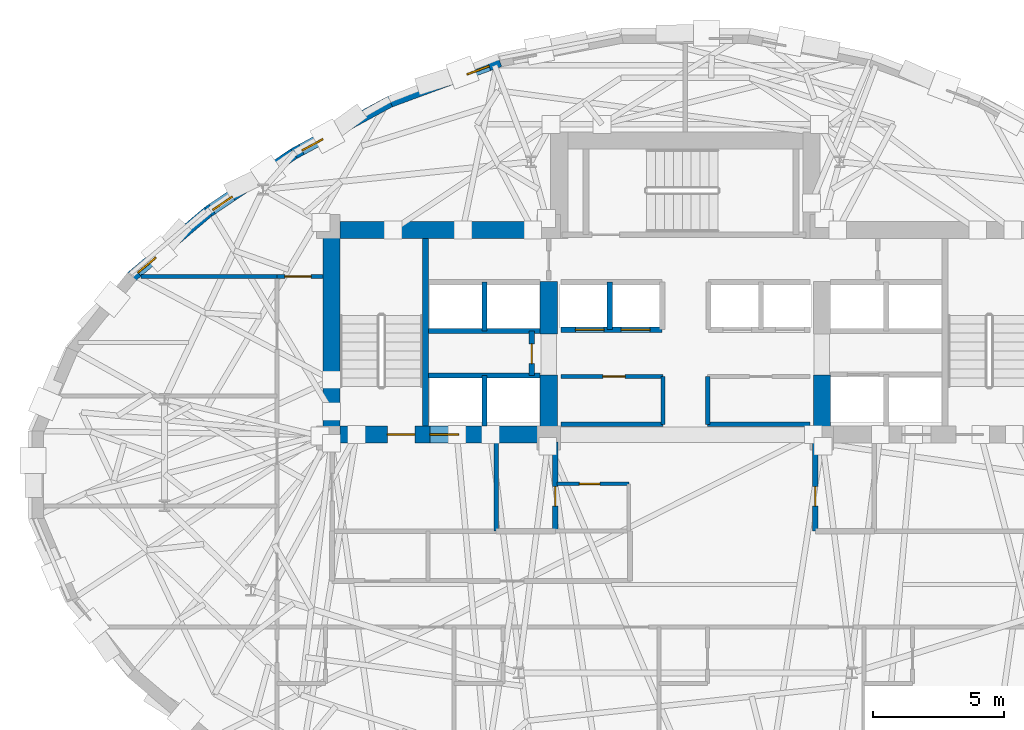
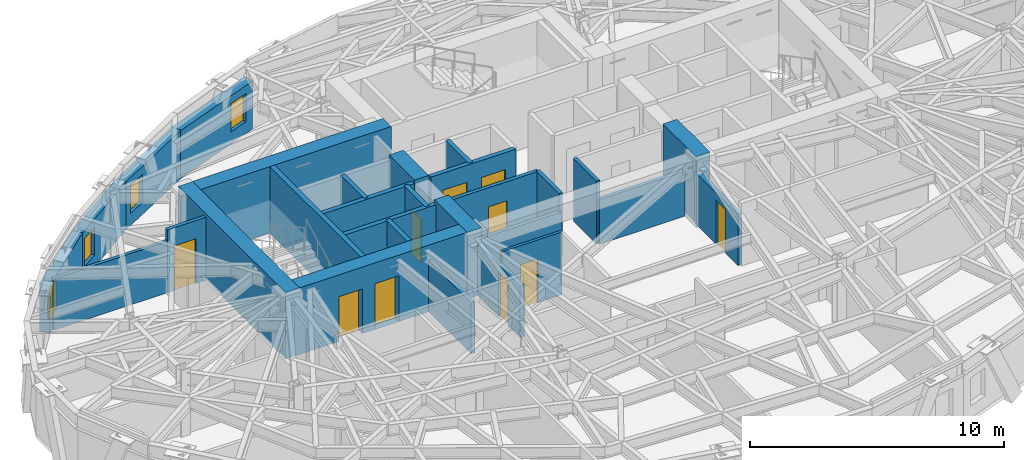
# One storey, part 7 of 14: 29 walls, 10 doors, 4 windows, 14 openings.
"""IFC4 building model written with IfcOpenShell, lengths in metres."""

from ifc_helpers import new_model, si_unit, direction, frame, frame_2d, origin, place, context, subcontext, project, spatial, rectangle, extrude, material, layer, layer_set, type_object, element, fill, save


model = new_model("IFC4")

# Units and contexts
model_context = context("Model", 3, precision=1e-05, world=origin(), true_north=direction((0.0, 1.0)))
body_context = subcontext(model_context, "Body", "Model", "MODEL_VIEW")
ifc_project = project(units=[si_unit("LENGTHUNIT", "METRE"), si_unit("AREAUNIT", "SQUARE_METRE"), si_unit("VOLUMEUNIT", "CUBIC_METRE"), si_unit("PLANEANGLEUNIT", "RADIAN"), si_unit("MASSUNIT", "GRAM", prefix="KILO")], contexts=[model_context])

# Site, building, storey
site_placement = place(None, origin())
site = spatial("IfcSite", under=ifc_project, at=site_placement, CompositionType="ELEMENT")
building_placement = place(site_placement, origin())
building = spatial("IfcBuilding", under=site, at=building_placement, Name="Keldmark Tower", CompositionType="ELEMENT")
storey_placement = place(building_placement, frame((0.0, 0.0, 179.0)))
storey = spatial("IfcBuildingStorey", under=building, at=storey_placement, Name="L49", CompositionType="ELEMENT", Elevation=179.0)

# Wall, opening, door
ifc_material_1 = material(Name="Acoustic Gypsum Board Interior Partition", Category="gypsum")
ifc_layer_1 = layer(ifc_material_1, 0.1298828125)
ifc_layer_set_1 = layer_set([ifc_layer_1], Name="Acoustic Gypsum Board Interior Partition")
wall_type_1 = type_object("IfcWallType", Name="Interior Partition 130 mm", PredefinedType="PARTITIONING", material=ifc_layer_set_1)
wall_1_placement = place(storey_placement, frame((-4.8798828125, -0.35009765625, 0.0), z_axis=(0.0, 0.0, 1.0), x_axis=(1.0, 0.0, 0.0)))
wall_1 = element("IfcWall", 1, at=wall_1_placement, inside=storey, type_object=wall_type_1, Name="L49 Interior Partition 130 mm CSC-W-N", PredefinedType="PARTITIONING", context=body_context, shape_type="SweptSolid", body=[
    extrude(rectangle(XDim=2.72998046875, YDim=0.1298828125, at=frame_2d((1.364990234375, 0.0))), origin(), (0.0, 0.0, 1.0), 3.02001953125),
])
opening_1_placement = place(wall_1_placement, frame((0.85009765625, 0.0, 0.0)))
opening_1 = element("IfcOpeningElement", 2, at=opening_1_placement, cuts=wall_1, Name="Opening D-CL078", PredefinedType="OPENING", context=body_context, shape_type="SweptSolid", body=[
    extrude(rectangle(XDim=0.780029296875, YDim=2.10009765625, at=frame_2d((0.39013671875, 1.050048828125))), frame((0.0, 0.074951171875, 0.0), z_axis=(0.0, -1.0, 0.0), x_axis=(1.0, 0.0, 0.0)), (0.0, 0.0, 1.0), 0.14990234375),
])
ifc_material_2 = material(Name="Flush Utility Closet Timber Door", Category="wood")
door_type_1 = type_object("IfcDoorType", Name="Closet Door 780x2100", OperationType="NOTDEFINED", PredefinedType="DOOR", material=ifc_material_2)
door_1_placement = place(opening_1_placement, origin())
door_1 = element("IfcDoor", 3, at=door_1_placement, inside=storey, type_object=door_type_1, Name="L49 Closet Door 780x2100 D-CSCW1-L49", OperationType="SINGLE_SWING_LEFT", OverallHeight=2.10009765625, OverallWidth=0.780029296875, PredefinedType="DOOR", context=body_context, shape_type="SweptSolid", body=[
    extrude(rectangle(XDim=0.780029296875, YDim=2.10009765625, at=frame_2d((0.39013671875, 1.050048828125))), frame((0.0, 0.02490234375, 0.0), z_axis=(0.0, -1.0, 0.0), x_axis=(1.0, 0.0, 0.0)), (0.0, 0.0, 1.0), 0.050048828125),
])
fill(opening_1, door_1)

# Walls
ifc_material_3 = material(Name="Type X Fire-Rated Gypsum Partition Assembly", Category="gypsum")
ifc_layer_2 = layer(ifc_material_3, 0.1650390625)
ifc_layer_set_2 = layer_set([ifc_layer_2], Name="Type X Fire-Rated Gypsum Partition Assembly")
wall_type_2 = type_object("IfcWallType", Name="Rated Partition 165 mm", PredefinedType="PARTITIONING", material=ifc_layer_set_2)
wall_2_placement = place(storey_placement, frame((-7.199951171875, -2.14990234375, 0.0), z_axis=(0.0, 0.0, 1.0), x_axis=(0.0, 1.0, 0.0)))
element("IfcWall", 4, at=wall_2_placement, inside=storey, type_object=wall_type_2, Name="L49 Rated Partition 165 mm FSAE-W-E", PredefinedType="PARTITIONING", context=body_context, shape_type="SweptSolid", body=[
    extrude(rectangle(XDim=3.39990234375, YDim=0.1650390625, at=frame_2d((1.699951171875, 0.0))), origin(), (0.0, 0.0, 1.0), 2.472900390625),
])
wall_3_placement = place(storey_placement, frame((-4.739990234375, 1.919921875, 0.0), z_axis=(0.0, 0.0, 1.0), x_axis=(1.0, 0.0, 0.0)))
element("IfcWall", 5, at=wall_3_placement, inside=storey, type_object=wall_type_2, Name="L49 Rated Partition 165 mm REC-LW-S", PredefinedType="PARTITIONING", context=body_context, shape_type="SweptSolid", body=[
    extrude(rectangle(XDim=3.889892578125, YDim=0.1650390625, at=frame_2d((1.94482421875, 0.0))), origin(), (0.0, 0.0, 1.0), 2.159912109375),
])

# Wall, opening, door
wall_4_placement = place(storey_placement, frame((-4.739990234375, 3.739990234375, 0.0), z_axis=(0.0, 0.0, 1.0), x_axis=(1.0, 0.0, 0.0)))
wall_4 = element("IfcWall", 6, at=wall_4_placement, inside=storey, type_object=wall_type_2, Name="L49 Rated Partition 165 mm REC-LW-N", PredefinedType="PARTITIONING", context=body_context, shape_type="SweptSolid", body=[
    extrude(rectangle(XDim=3.889892578125, YDim=0.1650390625, at=frame_2d((1.94482421875, 0.0))), origin(), (0.0, 0.0, 1.0), 3.02001953125),
])
opening_2_placement = place(wall_4_placement, frame((1.60009765625, 0.0, 0.0)))
opening_2 = element("IfcOpeningElement", 7, at=opening_2_placement, cuts=wall_4, Name="Opening D-SV085", PredefinedType="OPENING", context=body_context, shape_type="SweptSolid", body=[
    extrude(rectangle(XDim=0.85009765625, YDim=2.10009765625, at=frame_2d((0.425048828125, 1.050048828125))), frame((0.0, 0.092529296875, 0.0), z_axis=(0.0, -1.0, 0.0), x_axis=(1.0, 0.0, 0.0)), (0.0, 0.0, 1.0), 0.18505859375),
])
ifc_material_4 = material(Name="Painted Hollow Metal Door Assembly", Category="metal")
door_type_2 = type_object("IfcDoorType", Name="Service Door 850x2100", OperationType="NOTDEFINED", PredefinedType="DOOR", material=ifc_material_4)
door_2_placement = place(opening_2_placement, origin())
door_2 = element("IfcDoor", 8, at=door_2_placement, inside=storey, type_object=door_type_2, Name="L49 Service Door 850x2100 D-RECLW1-L49", OperationType="SINGLE_SWING_LEFT", OverallHeight=2.10009765625, OverallWidth=0.85009765625, PredefinedType="DOOR", context=body_context, shape_type="SweptSolid", body=[
    extrude(rectangle(XDim=0.85009765625, YDim=2.10009765625, at=frame_2d((0.425048828125, 1.050048828125))), frame((0.0, 0.02490234375, 0.0), z_axis=(0.0, -1.0, 0.0), x_axis=(1.0, 0.0, 0.0)), (0.0, 0.0, 1.0), 0.050048828125),
])
fill(opening_2, door_2)

# Walls
wall_5_placement = place(storey_placement, frame((-0.85009765625, 1.919921875, 0.0), z_axis=(0.0, 0.0, 1.0), x_axis=(0.0, 1.0, 0.0)))
element("IfcWall", 9, at=wall_5_placement, inside=storey, type_object=wall_type_2, Name="L49 Rated Partition 165 mm REC-LW-E", PredefinedType="PARTITIONING", context=body_context, shape_type="SweptSolid", body=[
    extrude(rectangle(XDim=1.820068359375, YDim=0.1650390625, at=frame_2d((0.91015625, 0.0))), origin(), (0.0, 0.0, 1.0), 3.02001953125),
])
wall_6_placement = place(storey_placement, frame((0.85009765625, 1.919921875, 0.0), z_axis=(0.0, 0.0, 1.0), x_axis=(1.0, 0.0, 0.0)))
element("IfcWall", 10, at=wall_6_placement, inside=storey, type_object=wall_type_2, Name="L49 Rated Partition 165 mm REC-LE-S", PredefinedType="PARTITIONING", context=body_context, shape_type="SweptSolid", body=[
    extrude(rectangle(XDim=3.889892578125, YDim=0.1650390625, at=frame_2d((1.94482421875, 0.0))), origin(), (0.0, 0.0, 1.0), 2.159912109375),
])
wall_7_placement = place(storey_placement, frame((0.85009765625, 1.919921875, 0.0), z_axis=(0.0, 0.0, 1.0), x_axis=(0.0, 1.0, 0.0)))
element("IfcWall", 11, at=wall_7_placement, inside=storey, type_object=wall_type_2, Name="L49 Rated Partition 165 mm REC-LE-W", PredefinedType="PARTITIONING", context=body_context, shape_type="SweptSolid", body=[
    extrude(rectangle(XDim=1.820068359375, YDim=0.1650390625, at=frame_2d((0.91015625, 0.0))), origin(), (0.0, 0.0, 1.0), 3.02001953125),
])

# Wall, opening, door
wall_8_placement = place(storey_placement, frame((-15.550048828125, 7.550048828125, 0.0), z_axis=(0.0, 0.0, 1.0), x_axis=(1.0, 0.0, 0.0)))
wall_8 = element("IfcWall", 12, at=wall_8_placement, inside=storey, type_object=wall_type_2, Name="L49 Rated Partition 165 mm HCOR-WN", PredefinedType="PARTITIONING", context=body_context, shape_type="SweptSolid", body=[
    extrude(rectangle(XDim=1.75, YDim=0.1650390625, at=frame_2d((0.875, 0.0))), origin(), (0.0, 0.0, 1.0), 3.02001953125),
])
opening_3_placement = place(wall_8_placement, frame((0.300048828125, 0.0, 0.0)))
opening_3 = element("IfcOpeningElement", 13, at=opening_3_placement, cuts=wall_8, Name="Opening D-FD100", PredefinedType="OPENING", context=body_context, shape_type="SweptSolid", body=[
    extrude(rectangle(XDim=1.0, YDim=2.14990234375, at=frame_2d((0.5, 1.074951171875))), frame((0.0, 0.092529296875, 0.0), z_axis=(0.0, -1.0, 0.0), x_axis=(1.0, 0.0, 0.0)), (0.0, 0.0, 1.0), 0.18505859375),
])
ifc_material_5 = material(Name="Hollow Metal Fire-Rated Corridor Door", Category="metal")
door_type_3 = type_object("IfcDoorType", Name="Fire Door 1000x2150", OperationType="NOTDEFINED", PredefinedType="DOOR", material=ifc_material_5)
door_3_placement = place(opening_3_placement, origin())
door_3 = element("IfcDoor", 14, at=door_3_placement, inside=storey, type_object=door_type_3, Name="L49 Fire Door 1000x2150 D-HNNW-L49", OperationType="SINGLE_SWING_LEFT", OverallHeight=2.14990234375, OverallWidth=1.0, PredefinedType="DOOR", context=body_context, shape_type="SweptSolid", body=[
    extrude(rectangle(XDim=1.0, YDim=2.14990234375, at=frame_2d((0.5, 1.074951171875))), frame((0.0, 0.02490234375, 0.0), z_axis=(0.0, -1.0, 0.0), x_axis=(1.0, 0.0, 0.0)), (0.0, 0.0, 1.0), 0.050048828125),
])
fill(opening_3, door_3)

ifc_material_6 = material(Name="Fire-Resistant Type X Gypsum Shaftliner Coreboard", Category="gypsum")
ifc_layer_3 = layer(ifc_material_6, 0.199951171875)
ifc_layer_set_3 = layer_set([ifc_layer_3], Name="Fire-Resistant Type X Gypsum Shaftliner Coreboard")
wall_type_3 = type_object("IfcWallType", Name="Shaft Wall 200 mm", PredefinedType="SOLIDWALL", material=ifc_layer_set_3)
wall_9_placement = place(storey_placement, frame((-4.949951171875, -2.14990234375, 0.0), z_axis=(0.0, 0.0, 1.0), x_axis=(0.0, 1.0, 0.0)))
wall_9 = element("IfcWall", 15, at=wall_9_placement, inside=storey, type_object=wall_type_3, Name="L49 Shaft Wall 200 mm RIS-SW-E", PredefinedType="SOLIDWALL", context=body_context, shape_type="SweptSolid", body=[
    extrude(rectangle(XDim=3.39990234375, YDim=0.199951171875, at=frame_2d((1.699951171875, 0.0))), origin(), (0.0, 0.0, 1.0), 2.472900390625),
])
opening_4_placement = place(wall_9_placement, frame((0.949951171875, 0.0, 0.0)))
opening_4 = element("IfcOpeningElement", 16, at=opening_4_placement, cuts=wall_9, Name="Opening D-RS075", PredefinedType="OPENING", context=body_context, shape_type="SweptSolid", body=[
    extrude(rectangle(XDim=0.75, YDim=2.10009765625, at=frame_2d((0.375, 1.050048828125))), frame((0.0, 0.10986328125, 0.0), z_axis=(0.0, -1.0, 0.0), x_axis=(1.0, 0.0, 0.0)), (0.0, 0.0, 1.0), 0.219970703125),
])
ifc_material_7 = material(Name="Galvanized Fire-Rated Access Leaf", Category="metal")
door_type_4 = type_object("IfcDoorType", Name="Riser Access Door 750x2100", OperationType="NOTDEFINED", PredefinedType="DOOR", material=ifc_material_7)
door_4_placement = place(opening_4_placement, origin())
door_4 = element("IfcDoor", 17, at=door_4_placement, inside=storey, type_object=door_type_4, Name="L49 Riser Access Door 750x2100 D-RISSW-L49", OperationType="SINGLE_SWING_RIGHT", OverallHeight=2.10009765625, OverallWidth=0.75, PredefinedType="DOOR", context=body_context, shape_type="SweptSolid", body=[
    extrude(rectangle(XDim=0.75, YDim=2.10009765625, at=frame_2d((0.375, 1.050048828125))), frame((0.0, 0.02490234375, 0.0), z_axis=(0.0, -1.0, 0.0), x_axis=(1.0, 0.0, 0.0)), (0.0, 0.0, 1.0), 0.050048828125),
])
fill(opening_4, door_4)

wall_10_placement = place(storey_placement, frame((4.949951171875, -2.14990234375, 0.0), z_axis=(0.0, 0.0, 1.0), x_axis=(0.0, 1.0, 0.0)))
wall_10 = element("IfcWall", 18, at=wall_10_placement, inside=storey, type_object=wall_type_3, Name="L49 Shaft Wall 200 mm RIS-SE-W", PredefinedType="SOLIDWALL", context=body_context, shape_type="SweptSolid", body=[
    extrude(rectangle(XDim=3.39990234375, YDim=0.199951171875, at=frame_2d((1.699951171875, 0.0))), origin(), (0.0, 0.0, 1.0), 2.472900390625),
])
opening_5_placement = place(wall_10_placement, frame((0.949951171875, 0.0, 0.0)))
opening_5 = element("IfcOpeningElement", 19, at=opening_5_placement, cuts=wall_10, Name="Opening D-RS075", PredefinedType="OPENING", context=body_context, shape_type="SweptSolid", body=[
    extrude(rectangle(XDim=0.75, YDim=2.10009765625, at=frame_2d((0.375, 1.050048828125))), frame((0.0, 0.10986328125, 0.0), z_axis=(0.0, -1.0, 0.0), x_axis=(1.0, 0.0, 0.0)), (0.0, 0.0, 1.0), 0.219970703125),
])
door_5_placement = place(opening_5_placement, origin())
door_5 = element("IfcDoor", 20, at=door_5_placement, inside=storey, type_object=door_type_4, Name="L49 Riser Access Door 750x2100 D-RISSE-L49", OperationType="SINGLE_SWING_LEFT", OverallHeight=2.10009765625, OverallWidth=0.75, PredefinedType="DOOR", context=body_context, shape_type="SweptSolid", body=[
    extrude(rectangle(XDim=0.75, YDim=2.10009765625, at=frame_2d((0.375, 1.050048828125))), frame((0.0, 0.02490234375, 0.0), z_axis=(0.0, -1.0, 0.0), x_axis=(1.0, 0.0, 0.0)), (0.0, 0.0, 1.0), 0.050048828125),
])
fill(opening_5, door_5)

# Walls
wall_11_placement = place(storey_placement, frame((-9.780029296875, 3.780029296875, 0.0), z_axis=(0.0, 0.0, 1.0), x_axis=(1.0, 0.0, 0.0)))
element("IfcWall", 21, at=wall_11_placement, inside=storey, type_object=wall_type_3, Name="L49 Shaft Wall 200 mm HW-W-S", PredefinedType="SOLIDWALL", context=body_context, shape_type="SweptSolid", body=[
    extrude(rectangle(XDim=4.255126953125, YDim=0.199951171875, at=frame_2d((2.12744140625, 0.0))), origin(), (0.0, 0.0, 1.0), 3.02001953125),
])
wall_12_placement = place(storey_placement, frame((-7.64990234375, 1.85009765625, 0.0), z_axis=(0.0, 0.0, 1.0), x_axis=(0.0, 1.0, 0.0)))
element("IfcWall", 22, at=wall_12_placement, inside=storey, type_object=wall_type_3, Name="L49 Shaft Wall 200 mm HW-W-M", PredefinedType="SOLIDWALL", context=body_context, shape_type="SweptSolid", body=[
    extrude(rectangle(XDim=1.929931640625, YDim=0.199951171875, at=frame_2d((0.96484375, 0.0))), origin(), (0.0, 0.0, 1.0), 3.02001953125),
])
wall_13_placement = place(storey_placement, frame((-9.780029296875, 5.469970703125, 0.0), z_axis=(0.0, 0.0, 1.0), x_axis=(1.0, 0.0, 0.0)))
element("IfcWall", 23, at=wall_13_placement, inside=storey, type_object=wall_type_3, Name="L49 Shaft Wall 200 mm HW-W-N", PredefinedType="SOLIDWALL", context=body_context, shape_type="SweptSolid", body=[
    extrude(rectangle(XDim=4.255126953125, YDim=0.199951171875, at=frame_2d((2.12744140625, 0.0))), origin(), (0.0, 0.0, 1.0), 3.02001953125),
])
wall_14_placement = place(storey_placement, frame((-7.64990234375, 5.469970703125, 0.0), z_axis=(0.0, 0.0, 1.0), x_axis=(0.0, 1.0, 0.0)))
element("IfcWall", 24, at=wall_14_placement, inside=storey, type_object=wall_type_3, Name="L49 Shaft Wall 200 mm HW-W-NM", PredefinedType="SOLIDWALL", context=body_context, shape_type="SweptSolid", body=[
    extrude(rectangle(XDim=1.860107421875, YDim=0.199951171875, at=frame_2d((0.93017578125, 0.0))), origin(), (0.0, 0.0, 1.0), 3.02001953125),
])

# Wall, opening, door
wall_15_placement = place(storey_placement, frame((-5.85009765625, 3.780029296875, 0.0), z_axis=(0.0, 0.0, 1.0), x_axis=(0.0, 1.0, 0.0)))
wall_15 = element("IfcWall", 25, at=wall_15_placement, inside=storey, type_object=wall_type_3, Name="L49 Shaft Wall 200 mm HW-W-CLOSE", PredefinedType="SOLIDWALL", context=body_context, shape_type="SweptSolid", body=[
    extrude(rectangle(XDim=1.68994140625, YDim=0.199951171875, at=frame_2d((0.844970703125, 0.0))), origin(), (0.0, 0.0, 1.0), 3.02001953125),
])
opening_6_placement = place(wall_15_placement, frame((0.449951171875, 0.0, 0.0)))
opening_6 = element("IfcOpeningElement", 26, at=opening_6_placement, cuts=wall_15, Name="Opening D-RS075", PredefinedType="OPENING", context=body_context, shape_type="SweptSolid", body=[
    extrude(rectangle(XDim=0.75, YDim=2.10009765625, at=frame_2d((0.375, 1.050048828125))), frame((0.0, 0.10986328125, 0.0), z_axis=(0.0, -1.0, 0.0), x_axis=(1.0, 0.0, 0.0)), (0.0, 0.0, 1.0), 0.219970703125),
])
door_6_placement = place(opening_6_placement, origin())
door_6 = element("IfcDoor", 27, at=door_6_placement, inside=storey, type_object=door_type_4, Name="L49 Riser Access Door 750x2100 D-RISHW-L49", OperationType="SINGLE_SWING_RIGHT", OverallHeight=2.10009765625, OverallWidth=0.75, PredefinedType="DOOR", context=body_context, shape_type="SweptSolid", body=[
    extrude(rectangle(XDim=0.75, YDim=2.10009765625, at=frame_2d((0.375, 1.050048828125))), frame((0.0, 0.02490234375, 0.0), z_axis=(0.0, -1.0, 0.0), x_axis=(1.0, 0.0, 0.0)), (0.0, 0.0, 1.0), 0.050048828125),
])
fill(opening_6, door_6)

# Wall, openings, doors
wall_16_placement = place(storey_placement, frame((-4.739990234375, 5.52001953125, 0.0), z_axis=(0.0, 0.0, 1.0), x_axis=(1.0, 0.0, 0.0)))
wall_16 = element("IfcWall", 28, at=wall_16_placement, inside=storey, type_object=wall_type_3, Name="L49 Shaft Wall 200 mm MID-S-W", PredefinedType="SOLIDWALL", context=body_context, shape_type="SweptSolid", body=[
    extrude(rectangle(XDim=3.860107421875, YDim=0.199951171875, at=frame_2d((1.93017578125, 0.0))), origin(), (0.0, 0.0, 1.0), 3.02001953125),
])
opening_7_placement = place(wall_16_placement, frame((0.550048828125, 0.0, 0.0)))
opening_7 = element("IfcOpeningElement", 29, at=opening_7_placement, cuts=wall_16, Name="Opening LD-110", PredefinedType="OPENING", context=body_context, shape_type="SweptSolid", body=[
    extrude(rectangle(XDim=1.10009765625, YDim=2.199951171875, at=frame_2d((0.550048828125, 1.10009765625))), frame((0.0, 0.10986328125, 0.0), z_axis=(0.0, -1.0, 0.0), x_axis=(1.0, 0.0, 0.0)), (0.0, 0.0, 1.0), 0.219970703125),
])
opening_8_placement = place(wall_16_placement, frame((2.300048828125, 0.0, 0.0)))
opening_8 = element("IfcOpeningElement", 30, at=opening_8_placement, cuts=wall_16, Name="Opening LD-110", PredefinedType="OPENING", context=body_context, shape_type="SweptSolid", body=[
    extrude(rectangle(XDim=1.10009765625, YDim=2.199951171875, at=frame_2d((0.550048828125, 1.10009765625))), frame((0.0, 0.10986328125, 0.0), z_axis=(0.0, -1.0, 0.0), x_axis=(1.0, 0.0, 0.0)), (0.0, 0.0, 1.0), 0.219970703125),
])
ifc_material_8 = material(Name="Brushed Bronze Hoistway Sliding Leaf", Category="metal")
door_type_5 = type_object("IfcDoorType", Name="Lift Landing Sliding Door 1100x2200", OperationType="SLIDING_TO_LEFT", PredefinedType="DOOR", material=ifc_material_8)
door_7_placement = place(opening_7_placement, origin())
door_7 = element("IfcDoor", 31, at=door_7_placement, inside=storey, type_object=door_type_5, Name="L49 Lift Landing Sliding Door 1100x2200 LD-EL-M1-L49", OperationType="SLIDING_TO_LEFT", OverallHeight=2.199951171875, OverallWidth=1.10009765625, PredefinedType="DOOR", context=body_context, shape_type="SweptSolid", body=[
    extrude(rectangle(XDim=1.10009765625, YDim=2.199951171875, at=frame_2d((0.550048828125, 1.10009765625))), frame((0.0, 0.02490234375, 0.0), z_axis=(0.0, -1.0, 0.0), x_axis=(1.0, 0.0, 0.0)), (0.0, 0.0, 1.0), 0.050048828125),
])
fill(opening_7, door_7)
door_8_placement = place(opening_8_placement, origin())
door_8 = element("IfcDoor", 32, at=door_8_placement, inside=storey, type_object=door_type_5, Name="L49 Lift Landing Sliding Door 1100x2200 LD-EL-M2-L49", OperationType="SLIDING_TO_LEFT", OverallHeight=2.199951171875, OverallWidth=1.10009765625, PredefinedType="DOOR", context=body_context, shape_type="SweptSolid", body=[
    extrude(rectangle(XDim=1.10009765625, YDim=2.199951171875, at=frame_2d((0.550048828125, 1.10009765625))), frame((0.0, 0.02490234375, 0.0), z_axis=(0.0, -1.0, 0.0), x_axis=(1.0, 0.0, 0.0)), (0.0, 0.0, 1.0), 0.050048828125),
])
fill(opening_8, door_8)

# Walls
wall_17_placement = place(storey_placement, frame((-2.8798828125, 5.52001953125, 0.0), z_axis=(0.0, 0.0, 1.0), x_axis=(0.0, 1.0, 0.0)))
element("IfcWall", 33, at=wall_17_placement, inside=storey, type_object=wall_type_3, Name="L49 Shaft Wall 200 mm MID-M-W", PredefinedType="SOLIDWALL", context=body_context, shape_type="SweptSolid", body=[
    extrude(rectangle(XDim=1.81005859375, YDim=0.199951171875, at=frame_2d((0.905029296875, 0.0))), origin(), (0.0, 0.0, 1.0), 3.02001953125),
])
ifc_material_9 = material(Name="Concrete C50/60", Category="concrete")
ifc_layer_4 = layer(ifc_material_9, 0.219970703125)
ifc_layer_set_4 = layer_set([ifc_layer_4], Name="Concrete C50/60")
wall_type_4 = type_object("IfcWallType", Name="Stair Core Shear Wall 220 mm", PredefinedType="SHEAR", material=ifc_layer_set_4)
wall_18_placement = place(storey_placement, frame((-9.889892578125, 1.85009765625, 0.0), z_axis=(0.0, 0.0, 1.0), x_axis=(0.0, 1.0, 0.0)))
element("IfcWall", 34, at=wall_18_placement, inside=storey, type_object=wall_type_4, Name="L49 West Stair Core Shear Wall", PredefinedType="SHEAR", context=body_context, shape_type="SweptSolid", body=[
    extrude(rectangle(XDim=7.14990234375, YDim=0.219970703125, at=frame_2d((3.574951171875, 0.0))), origin(), (0.0, 0.0, 1.0), 3.199951171875),
])

# Wall, opening, window
ifc_material_10 = material(Name="Ironspot Manganese Brick and Kasota Buff Limestone Spandrel Assembly", Category="masonry")
ifc_layer_5 = layer(ifc_material_10, 0.43994140625)
ifc_layer_set_5 = layer_set([ifc_layer_5], Name="Ironspot Manganese Brick and Kasota Buff Limestone Spandrel Assembly")
wall_type_5 = type_object("IfcWallType", Name="Tower Brick Pier and Spandrel Wall 440 mm", PredefinedType="STANDARD", material=ifc_layer_set_5)
wall_19_placement = place(storey_placement, frame((-11.27734375, 14.193359375, 0.0), z_axis=(0.0, 0.0, 1.0), x_axis=(0.937993730452, 0.346652220004, 0.0)))
wall_19 = element("IfcWall", 35, at=wall_19_placement, inside=storey, type_object=wall_type_5, Name="L49 Exterior Brick and Spandrel Wall 10", PredefinedType="STANDARD", context=body_context, shape_type="SweptSolid", body=[
    extrude(rectangle(XDim=4.491943359375, YDim=0.43994140625, at=frame_2d((2.24609375, 0.0))), origin(), (0.0, 0.0, 1.0), 2.31494140625),
])
opening_9_placement = place(wall_19_placement, frame((3.142578125, 0.0, 0.580078125)))
opening_9 = element("IfcOpeningElement", 36, at=opening_9_placement, cuts=wall_19, Name="Opening W-09", PredefinedType="OPENING", context=body_context, shape_type="SweptSolid", body=[
    extrude(rectangle(XDim=0.89990234375, YDim=1.35009765625, at=frame_2d((0.449951171875, 0.675048828125))), frame((0.0, 0.22998046875, 0.0), z_axis=(0.0, -1.0, 0.0), x_axis=(1.0, 0.0, 0.0)), (0.0, 0.0, 1.0), 0.4599609375),
])
ifc_material_11 = material(Name="Thermally Broken Anodized Aluminum and Triple Low-E Argon Glazing", Category="aluminium")
window_type = type_object("IfcWindowType", Name="Corner Pier Deep-Set Window 900x1350", PartitioningType="SINGLE_PANEL", PredefinedType="WINDOW", material=ifc_material_11)
window_1_placement = place(opening_9_placement, origin())
window_1 = element("IfcWindow", 37, at=window_1_placement, inside=storey, type_object=window_type, Name="L49 Deep-Set Window 10", OverallHeight=1.35009765625, OverallWidth=0.89990234375, PartitioningType="SINGLE_PANEL", PredefinedType="WINDOW", context=body_context, shape_type="SweptSolid", body=[
    extrude(rectangle(XDim=0.89990234375, YDim=1.35009765625, at=frame_2d((0.449951171875, 0.675048828125))), frame((0.0, -0.010009765625, 0.0), z_axis=(0.0, -1.0, 0.0), x_axis=(1.0, 0.0, 0.0)), (0.0, 0.0, 1.0), 0.06005859375),
])
fill(opening_9, window_1)

wall_20_placement = place(storey_placement, frame((-14.920166015625, 12.2177734375, 0.0), z_axis=(0.0, 0.0, 1.0), x_axis=(0.879306250646, 0.476256776933, 0.0)))
wall_20 = element("IfcWall", 38, at=wall_20_placement, inside=storey, type_object=wall_type_5, Name="L49 Exterior Brick and Spandrel Wall 11", PredefinedType="STANDARD", context=body_context, shape_type="SweptSolid", body=[
    extrude(rectangle(XDim=4.17529296875, YDim=0.43994140625, at=frame_2d((2.087646484375, 0.0))), origin(), (0.0, 0.0, 1.0), 2.31494140625),
])
opening_10_placement = place(wall_20_placement, frame((0.3486328125, 0.0, 0.580078125)))
opening_10 = element("IfcOpeningElement", 39, at=opening_10_placement, cuts=wall_20, Name="Opening W-09", PredefinedType="OPENING", context=body_context, shape_type="SweptSolid", body=[
    extrude(rectangle(XDim=0.89990234375, YDim=1.35009765625, at=frame_2d((0.449951171875, 0.675048828125))), frame((0.0, 0.22998046875, 0.0), z_axis=(0.0, -1.0, 0.0), x_axis=(1.0, 0.0, 0.0)), (0.0, 0.0, 1.0), 0.4599609375),
])
window_2_placement = place(opening_10_placement, origin())
window_2 = element("IfcWindow", 40, at=window_2_placement, inside=storey, type_object=window_type, Name="L49 Deep-Set Window 11", OverallHeight=1.35009765625, OverallWidth=0.89990234375, PartitioningType="SINGLE_PANEL", PredefinedType="WINDOW", context=body_context, shape_type="SweptSolid", body=[
    extrude(rectangle(XDim=0.89990234375, YDim=1.35009765625, at=frame_2d((0.449951171875, 0.675048828125))), frame((0.0, -0.010009765625, 0.0), z_axis=(0.0, -1.0, 0.0), x_axis=(1.0, 0.0, 0.0)), (0.0, 0.0, 1.0), 0.06005859375),
])
fill(opening_10, window_2)

wall_21_placement = place(storey_placement, frame((-18.1845703125, 10.00341796875, 0.0), z_axis=(0.0, 0.0, 1.0), x_axis=(0.827725942945, 0.561132572015, 0.0)))
wall_21 = element("IfcWall", 41, at=wall_21_placement, inside=storey, type_object=wall_type_5, Name="L49 Exterior Brick and Spandrel Wall 12", PredefinedType="STANDARD", context=body_context, shape_type="SweptSolid", body=[
    extrude(rectangle(XDim=3.96630859375, YDim=0.43994140625, at=frame_2d((1.983154296875, 0.0))), origin(), (0.0, 0.0, 1.0), 2.31494140625),
])
opening_11_placement = place(wall_21_placement, frame((0.199951171875, 0.0, 0.580078125)))
opening_11 = element("IfcOpeningElement", 42, at=opening_11_placement, cuts=wall_21, Name="Opening W-09", PredefinedType="OPENING", context=body_context, shape_type="SweptSolid", body=[
    extrude(rectangle(XDim=0.89990234375, YDim=1.35009765625, at=frame_2d((0.449951171875, 0.675048828125))), frame((0.0, 0.22998046875, 0.0), z_axis=(0.0, -1.0, 0.0), x_axis=(1.0, 0.0, 0.0)), (0.0, 0.0, 1.0), 0.4599609375),
])
window_3_placement = place(opening_11_placement, origin())
window_3 = element("IfcWindow", 43, at=window_3_placement, inside=storey, type_object=window_type, Name="L49 Deep-Set Window 12", OverallHeight=1.35009765625, OverallWidth=0.89990234375, PartitioningType="SINGLE_PANEL", PredefinedType="WINDOW", context=body_context, shape_type="SweptSolid", body=[
    extrude(rectangle(XDim=0.89990234375, YDim=1.35009765625, at=frame_2d((0.449951171875, 0.675048828125))), frame((0.0, -0.010009765625, 0.0), z_axis=(0.0, -1.0, 0.0), x_axis=(1.0, 0.0, 0.0)), (0.0, 0.0, 1.0), 0.06005859375),
])
fill(opening_11, window_3)

wall_22_placement = place(storey_placement, frame((-21.098876953125, 7.529052734375, 0.0), z_axis=(0.0, 0.0, 1.0), x_axis=(0.762499647343, 0.646988630349, 0.0)))
wall_22 = element("IfcWall", 44, at=wall_22_placement, inside=storey, type_object=wall_type_5, Name="L49 Exterior Brick and Spandrel Wall 13", PredefinedType="STANDARD", context=body_context, shape_type="SweptSolid", body=[
    extrude(rectangle(XDim=3.8466796875, YDim=0.43994140625, at=frame_2d((1.92333984375, 0.0))), origin(), (0.0, 0.0, 1.0), 2.31494140625),
])
opening_12_placement = place(wall_22_placement, frame((0.2998046875, 0.0, 0.419921875)))
opening_12 = element("IfcOpeningElement", 45, at=opening_12_placement, cuts=wall_22, Name="Opening W-09", PredefinedType="OPENING", context=body_context, shape_type="SweptSolid", body=[
    extrude(rectangle(XDim=0.89990234375, YDim=1.35009765625, at=frame_2d((0.449951171875, 0.675048828125))), frame((0.0, 0.22998046875, 0.0), z_axis=(0.0, -1.0, 0.0), x_axis=(1.0, 0.0, 0.0)), (0.0, 0.0, 1.0), 0.4599609375),
])
window_4_placement = place(opening_12_placement, origin())
window_4 = element("IfcWindow", 46, at=window_4_placement, inside=storey, type_object=window_type, Name="L49 Deep-Set Window 13", OverallHeight=1.35009765625, OverallWidth=0.89990234375, PartitioningType="SINGLE_PANEL", PredefinedType="WINDOW", context=body_context, shape_type="SweptSolid", body=[
    extrude(rectangle(XDim=0.89990234375, YDim=1.35009765625, at=frame_2d((0.449951171875, 0.675048828125))), frame((0.0, -0.010009765625, 0.0), z_axis=(0.0, -1.0, 0.0), x_axis=(1.0, 0.0, 0.0)), (0.0, 0.0, 1.0), 0.06005859375),
])
fill(opening_12, window_4)

# Walls
ifc_material_12 = material(Name="Concrete C50/60", Category="concrete")
ifc_layer_6 = layer(ifc_material_12, 0.64990234375)
ifc_layer_set_6 = layer_set([ifc_layer_6], Name="Concrete C50/60")
wall_type_6 = type_object("IfcWallType", Name="Upper-Mid Core Shear Wall 650 mm", PredefinedType="SHEAR", material=ifc_layer_set_6)
wall_23_placement = place(storey_placement, frame((-13.47509765625, 1.199951171875, 0.0), z_axis=(0.0, 0.0, 1.0), x_axis=(0.0, 1.0, 0.0)))
element("IfcWall", 47, at=wall_23_placement, inside=storey, type_object=wall_type_6, Name="L49 West Core Outer Shear Wall", PredefinedType="SHEAR", context=body_context, shape_type="SweptSolid", body=[
    extrude(rectangle(XDim=8.449951171875, YDim=0.64990234375, at=frame_2d((4.22509765625, 0.0))), origin(), (0.0, 0.0, 1.0), 3.199951171875),
])
wall_24_placement = place(storey_placement, frame((-13.800048828125, 9.324951171875, 0.0), z_axis=(0.0, 0.0, 1.0), x_axis=(1.0, 0.0, 0.0)))
element("IfcWall", 48, at=wall_24_placement, inside=storey, type_object=wall_type_6, Name="L49 West Core North Shear Wall", PredefinedType="SHEAR", context=body_context, shape_type="SweptSolid", body=[
    extrude(rectangle(XDim=9.324951171875, YDim=0.64990234375, at=frame_2d((4.66259765625, 0.0))), origin(), (0.0, 0.0, 1.0), 3.199951171875),
])

# Wall, openings, doors
wall_25_placement = place(storey_placement, frame((-4.875, 1.52490234375, 0.0), z_axis=(0.0, 0.0, 1.0), x_axis=(-1.0, 0.0, 0.0)))
wall_25 = element("IfcWall", 49, at=wall_25_placement, inside=storey, type_object=wall_type_6, Name="L49 West Core South Shear Wall", PredefinedType="SHEAR", context=body_context, shape_type="SweptSolid", body=[
    extrude(rectangle(XDim=8.925048828125, YDim=0.64990234375, at=frame_2d((4.46240234375, 0.0))), origin(), (0.0, 0.0, 1.0), 3.199951171875),
])
opening_13_placement = place(wall_25_placement, frame((5.425048828125, 0.0, 0.0)))
opening_13 = element("IfcOpeningElement", 50, at=opening_13_placement, cuts=wall_25, Name="Opening D-ST105", PredefinedType="OPENING", context=body_context, shape_type="SweptSolid", body=[
    extrude(rectangle(XDim=1.050048828125, YDim=2.14990234375, at=frame_2d((0.52490234375, 1.074951171875))), frame((0.0, 0.3349609375, 0.0), z_axis=(0.0, -1.0, 0.0), x_axis=(1.0, 0.0, 0.0)), (0.0, 0.0, 1.0), 0.669921875),
])
opening_14_placement = place(wall_25_placement, frame((3.7548828125, 0.0, 0.0)))
opening_14 = element("IfcOpeningElement", 51, at=opening_14_placement, cuts=wall_25, Name="Opening LD-110", PredefinedType="OPENING", context=body_context, shape_type="SweptSolid", body=[
    extrude(rectangle(XDim=1.10009765625, YDim=2.199951171875, at=frame_2d((0.550048828125, 1.10009765625))), frame((0.0, 0.3349609375, 0.0), z_axis=(0.0, -1.0, 0.0), x_axis=(1.0, 0.0, 0.0)), (0.0, 0.0, 1.0), 0.669921875),
])
door_9_placement = place(opening_14_placement, origin())
door_9 = element("IfcDoor", 52, at=door_9_placement, inside=storey, type_object=door_type_5, Name="L49 Lift Landing Sliding Door 1100x2200 LD-EL-FS1-L49", OperationType="SLIDING_TO_LEFT", OverallHeight=2.199951171875, OverallWidth=1.10009765625, PredefinedType="DOOR", context=body_context, shape_type="SweptSolid", body=[
    extrude(rectangle(XDim=1.10009765625, YDim=2.199951171875, at=frame_2d((0.550048828125, 1.10009765625))), frame((0.0, 0.02490234375, 0.0), z_axis=(0.0, -1.0, 0.0), x_axis=(1.0, 0.0, 0.0)), (0.0, 0.0, 1.0), 0.050048828125),
])
fill(opening_14, door_9)
ifc_material_13 = material(Name="Hollow Metal Fire-Rated Door Assembly", Category="metal")
door_type_6 = type_object("IfcDoorType", Name="Stair Fire Door 1050x2150", OperationType="NOTDEFINED", PredefinedType="DOOR", material=ifc_material_13)
door_10_placement = place(opening_13_placement, origin())
door_10 = element("IfcDoor", 53, at=door_10_placement, inside=storey, type_object=door_type_6, Name="L49 Stair Fire Door 1050x2150 D-ST1-L49", OperationType="SINGLE_SWING_RIGHT", OverallHeight=2.14990234375, OverallWidth=1.050048828125, PredefinedType="DOOR", context=body_context, shape_type="SweptSolid", body=[
    extrude(rectangle(XDim=1.050048828125, YDim=2.14990234375, at=frame_2d((0.52490234375, 1.074951171875))), frame((0.0, 0.02490234375, 0.0), z_axis=(0.0, -1.0, 0.0), x_axis=(1.0, 0.0, 0.0)), (0.0, 0.0, 1.0), 0.050048828125),
])
fill(opening_13, door_10)

# Walls
wall_26_placement = place(storey_placement, frame((-5.199951171875, 1.199951171875, 0.0), z_axis=(0.0, 0.0, 1.0), x_axis=(0.0, 1.0, 0.0)))
element("IfcWall", 54, at=wall_26_placement, inside=storey, type_object=wall_type_6, Name="L49 West Core Inner Shear Pier South", PredefinedType="SHEAR", context=body_context, shape_type="SweptSolid", body=[
    extrude(rectangle(XDim=2.60009765625, YDim=0.64990234375, at=frame_2d((1.300048828125, 0.0))), origin(), (0.0, 0.0, 1.0), 3.199951171875),
])
wall_27_placement = place(storey_placement, frame((-5.199951171875, 5.35009765625, 0.0), z_axis=(0.0, 0.0, 1.0), x_axis=(0.0, 1.0, 0.0)))
element("IfcWall", 55, at=wall_27_placement, inside=storey, type_object=wall_type_6, Name="L49 West Core Inner Shear Pier North", PredefinedType="SHEAR", context=body_context, shape_type="SweptSolid", body=[
    extrude(rectangle(XDim=2.0, YDim=0.64990234375, at=frame_2d((1.0, 0.0))), origin(), (0.0, 0.0, 1.0), 3.199951171875),
])
wall_28_placement = place(storey_placement, frame((5.199951171875, 1.199951171875, 0.0), z_axis=(0.0, 0.0, 1.0), x_axis=(0.0, 1.0, 0.0)))
element("IfcWall", 56, at=wall_28_placement, inside=storey, type_object=wall_type_6, Name="L49 East Core Inner Shear Pier South", PredefinedType="SHEAR", context=body_context, shape_type="SweptSolid", body=[
    extrude(rectangle(XDim=2.60009765625, YDim=0.64990234375, at=frame_2d((1.300048828125, 0.0))), origin(), (0.0, 0.0, 1.0), 3.199951171875),
])
ifc_material_14 = material(Name="Moisture-Resistant Gypsum Plumbing Partition", Category="gypsum")
ifc_layer_7 = layer(ifc_material_14, 0.14990234375)
ifc_layer_set_7 = layer_set([ifc_layer_7], Name="Moisture-Resistant Gypsum Plumbing Partition")
wall_type_7 = type_object("IfcWallType", Name="Wet Wall 150 mm", PredefinedType="PLUMBINGWALL", material=ifc_layer_set_7)
wall_29_placement = place(storey_placement, frame((-20.7216796875, 7.550048828125, 0.0), z_axis=(0.0, 0.0, 1.0), x_axis=(1.0, 0.0, 0.0)))
element("IfcWall", 57, at=wall_29_placement, inside=storey, type_object=wall_type_7, Name="L49 Wet Wall 150 mm HW-CAP-N", PredefinedType="PLUMBINGWALL", context=body_context, shape_type="SweptSolid", body=[
    extrude(rectangle(XDim=5.171630859375, YDim=0.14990234375, at=frame_2d((2.5859375, 0.0))), origin(), (0.0, 0.0, 1.0), 2.472900390625),
])

save(model, "model.ifc")
